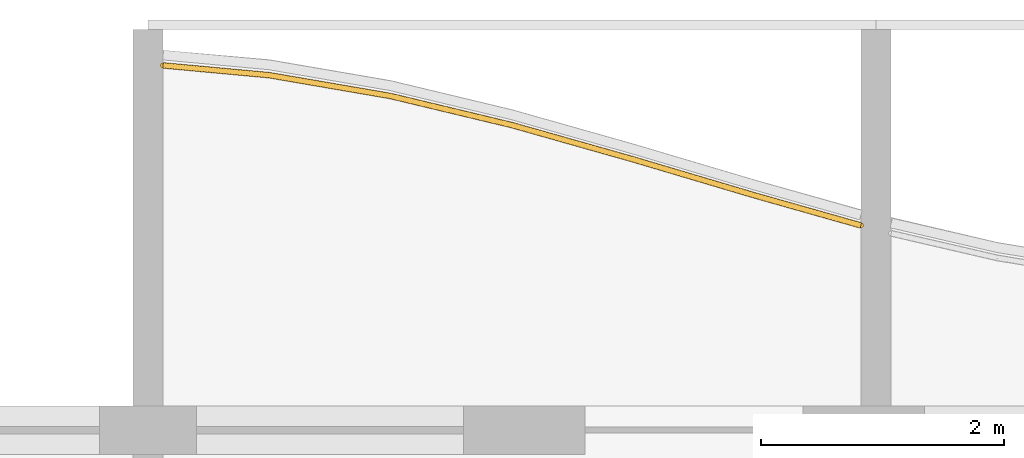
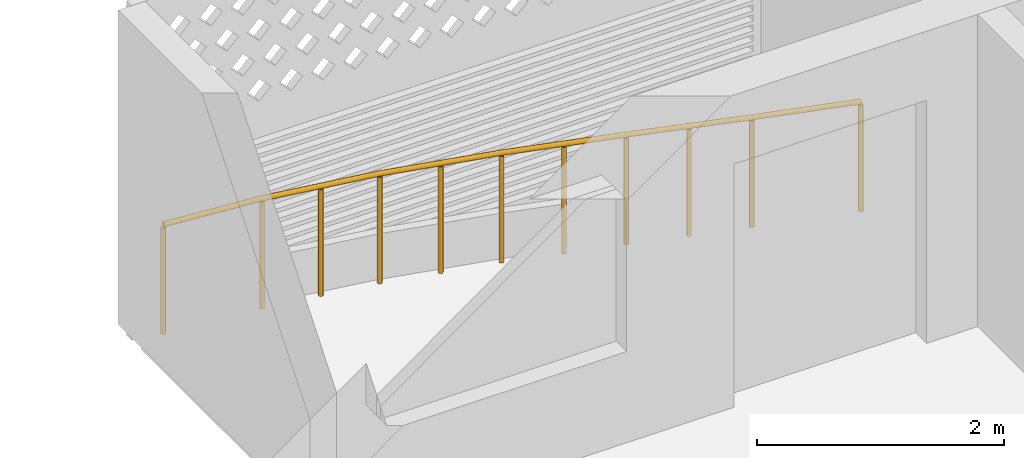
# One storey, part 21 of 26: 1 railing.
"""IFC4 building model written with IfcOpenShell, lengths in metres."""

from ifc_helpers import new_model, si_unit, direction, frame, origin, origin_2d, place, context, subcontext, project, spatial, circle, extrude, material, type_object, element, save


model = new_model("IFC4")

# Units and contexts
model_context = context("Model", 3, precision=1e-05, world=origin(), true_north=direction((0.0, 1.0)))
body_context = subcontext(model_context, "Body", "Model", "MODEL_VIEW")
ifc_project = project(units=[si_unit("LENGTHUNIT", "METRE"), si_unit("AREAUNIT", "SQUARE_METRE"), si_unit("VOLUMEUNIT", "CUBIC_METRE"), si_unit("PLANEANGLEUNIT", "RADIAN"), si_unit("MASSUNIT", "GRAM", prefix="KILO")], contexts=[model_context])

# Site, building, storey
site_placement = place(None, origin())
site = spatial("IfcSite", under=ifc_project, at=site_placement, CompositionType="ELEMENT")
building_placement = place(site_placement, origin())
building = spatial("IfcBuilding", under=site, at=building_placement, Name="Poui Terraces", CompositionType="ELEMENT")
storey_placement = place(building_placement, frame((0.0, 0.0, 224.699951171875)))
storey = spatial("IfcBuildingStorey", under=building, at=storey_placement, Name="L62", CompositionType="ELEMENT", Elevation=224.699951171875)

# Railing
ifc_material = material(Name="Painted steel fretwork", Category="steel")
railing_type = type_object("IfcRailingType", Name="BALCONY GUARD 1100", PredefinedType="GUARDRAIL", material=ifc_material)
railing_placement = place(storey_placement, frame((60.125, 44.205810546875, 0.0)))
element("IfcRailing", 1, at=railing_placement, inside=storey, type_object=railing_type, Name="BALCONY GUARD", PredefinedType="GUARDRAIL", context=body_context, shape_type="SweptSolid", body=[
    extrude(circle(Radius=0.02392578125, at=origin_2d()), frame((0.0, 0.0, 1.076171875), z_axis=(0.995787779444, -0.091688048889, 0.0), x_axis=(0.091688048889, 0.995787779444, 0.0)), (0.0, 0.0, 1.0), 0.878662109375),
    extrude(circle(Radius=0.02392578125, at=origin_2d()), frame((0.875, -0.08056640625, 1.076171875), z_axis=(0.98554889076, -0.169391215599, 0.0), x_axis=(0.169391215599, 0.98554889076, 0.0)), (0.0, 0.0, 1.0), 1.0146484375),
    extrude(circle(Radius=0.02392578125, at=origin_2d()), frame((1.875, -0.25244140625, 1.076171875), z_axis=(0.972497106951, -0.232914956523, 0.0), x_axis=(0.232914956523, 0.972497106951, 0.0)), (0.0, 0.0, 1.0), 1.0283203125),
    extrude(circle(Radius=0.02392578125, at=origin_2d()), frame((2.875, -0.491943359375, 1.076171875), z_axis=(0.962282666556, -0.272051593719, 0.0), x_axis=(0.272051593719, 0.962282666556, 0.0)), (0.0, 0.0, 1.0), 1.039306640625),
    extrude(circle(Radius=0.02392578125, at=origin_2d()), frame((3.875, -0.774658203125, 1.076171875), z_axis=(0.958710700624, -0.284383179018, 0.0), x_axis=(0.284383179018, 0.958710700624, 0.0)), (0.0, 0.0, 1.0), 1.04296875),
    extrude(circle(Radius=0.02392578125, at=origin_2d()), frame((4.875, -1.0712890625, 1.076171875), z_axis=(0.96230023717, -0.271989436455, 0.0), x_axis=(0.271989436455, 0.96230023717, 0.0)), (0.0, 0.0, 1.0), 0.9091796875),
    extrude(circle(Radius=0.02099609375, at=origin_2d()), origin(), (0.0, 0.0, 1.0), 1.052001953125),
    extrude(circle(Radius=0.02099609375, at=origin_2d()), frame((0.875, -0.08056640625, 0.0)), (0.0, 0.0, 1.0), 1.052001953125),
    extrude(circle(Radius=0.02099609375, at=origin_2d()), frame((1.375, -0.16650390625, 0.0)), (0.0, 0.0, 1.0), 1.052001953125),
    extrude(circle(Radius=0.02099609375, at=origin_2d()), frame((1.875, -0.25244140625, 0.0)), (0.0, 0.0, 1.0), 1.052001953125),
    extrude(circle(Radius=0.02099609375, at=origin_2d()), frame((2.375, -0.3720703125, 0.0)), (0.0, 0.0, 1.0), 1.052001953125),
    extrude(circle(Radius=0.02099609375, at=origin_2d()), frame((2.875, -0.491943359375, 0.0)), (0.0, 0.0, 1.0), 1.052001953125),
    extrude(circle(Radius=0.02099609375, at=origin_2d()), frame((3.375, -0.63330078125, 0.0)), (0.0, 0.0, 1.0), 1.052001953125),
    extrude(circle(Radius=0.02099609375, at=origin_2d()), frame((3.875, -0.774658203125, 0.0)), (0.0, 0.0, 1.0), 1.052001953125),
    extrude(circle(Radius=0.02099609375, at=origin_2d()), frame((4.375, -0.9228515625, 0.0)), (0.0, 0.0, 1.0), 1.052001953125),
    extrude(circle(Radius=0.02099609375, at=origin_2d()), frame((4.875, -1.0712890625, 0.0)), (0.0, 0.0, 1.0), 1.052001953125),
    extrude(circle(Radius=0.02099609375, at=origin_2d()), frame((5.75, -1.318603515625, 0.0)), (0.0, 0.0, 1.0), 1.052001953125),
])

save(model, "model.ifc")
